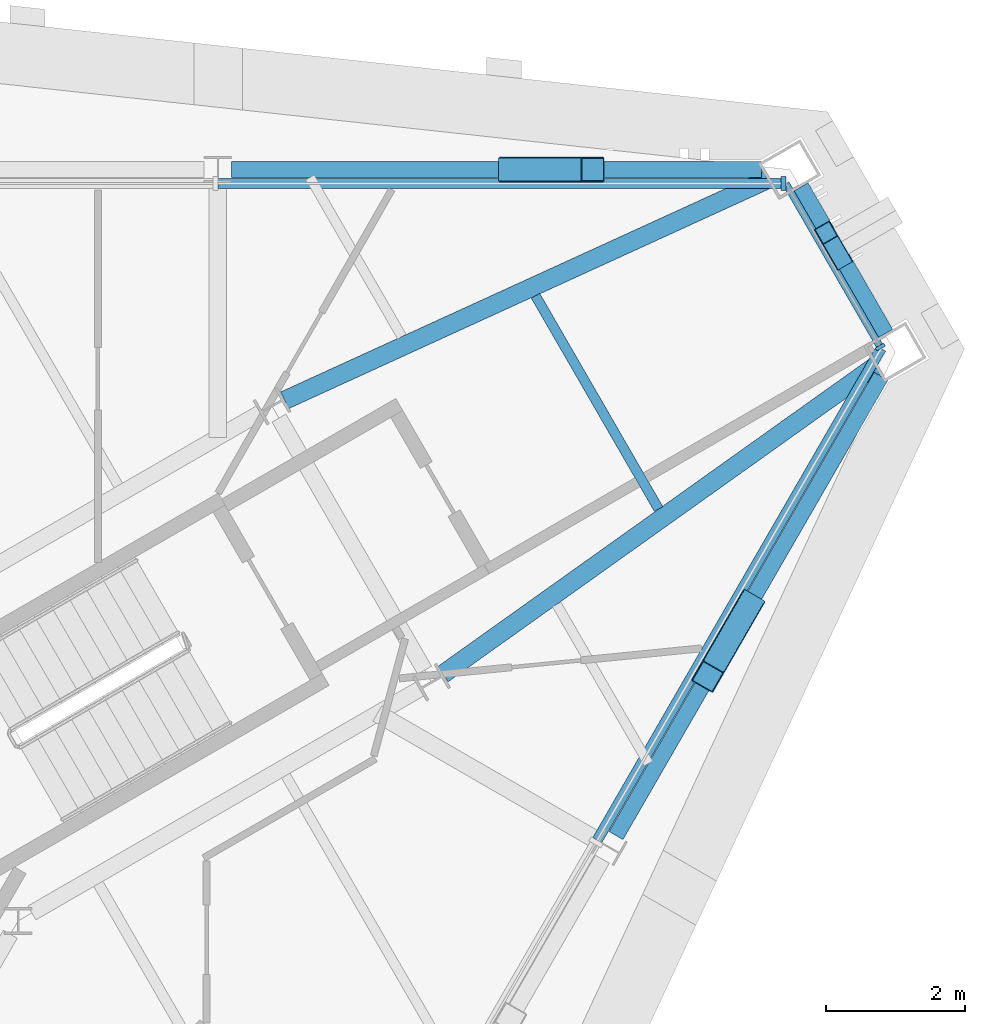
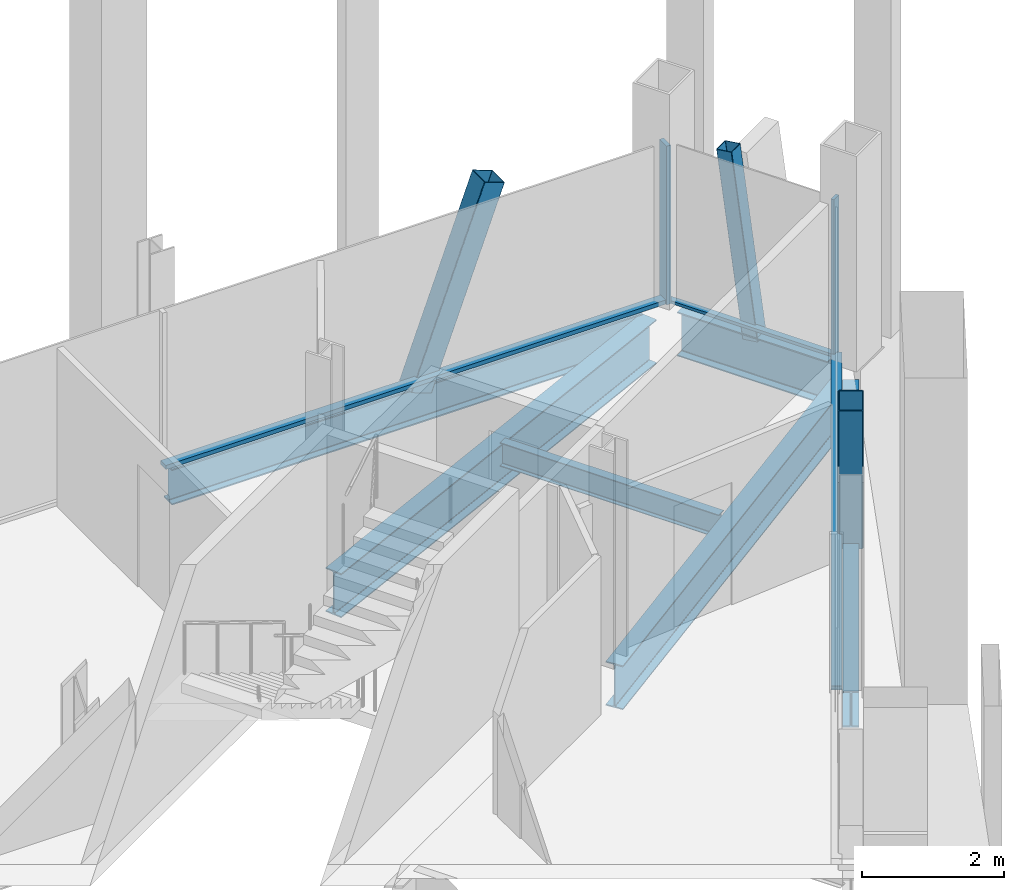
# One storey, part 6 of 13: 8 members, 6 beams, 3 elements without a shape of their own.
"""IFC4 building model written with IfcOpenShell, lengths in metres."""

from ifc_helpers import new_model, si_unit, direction, frame, origin, origin_2d, place, context, subcontext, project, spatial, rectangle, hollow_rectangle, i_section, extrude, material, material_profile, profile_set, type_object, element, aggregate, save


model = new_model("IFC4")

# Units and contexts
model_context = context("Model", 3, precision=1e-05, world=origin(), true_north=direction((0.0, 1.0)))
body_context = subcontext(model_context, "Body", "Model", "MODEL_VIEW")
ifc_project = project(units=[si_unit("LENGTHUNIT", "METRE"), si_unit("AREAUNIT", "SQUARE_METRE"), si_unit("VOLUMEUNIT", "CUBIC_METRE"), si_unit("PLANEANGLEUNIT", "RADIAN"), si_unit("MASSUNIT", "GRAM", prefix="KILO")], contexts=[model_context])

# Site, building, storey
site_placement = place(None, origin())
site = spatial("IfcSite", under=ifc_project, at=site_placement, CompositionType="ELEMENT")
building_placement = place(site_placement, origin())
building = spatial("IfcBuilding", under=site, at=building_placement, Name="Verrane Prism Tower", CompositionType="ELEMENT")
storey_placement = place(building_placement, frame((0.0, 0.0, 275.10009765625)))
storey = spatial("IfcBuildingStorey", under=building, at=storey_placement, Name="L69", CompositionType="ELEMENT", Elevation=275.10009765625)

# Member
ifc_material_1 = material(Name="Steel A500 Grade C", Category="steel")
ifc_material_profile_1 = material_profile(ifc_material_1, hollow_rectangle(XDim=0.25390625, YDim=0.25390625, WallThickness=0.009521484375, InnerFilletRadius=0.0048828125, OuterFilletRadius=0.014404296875, at=origin_2d()), Name="HSS10x10x3/8")
ifc_profile_set_1 = profile_set([ifc_material_profile_1], Name="Steel A500 Grade C")
member_type_1 = type_object("IfcMemberType", Name="Chamfer brace HSS10x10x3/8", PredefinedType="BRACE", material=ifc_profile_set_1)
member_1_placement = place(storey_placement, frame((21.339599609375, 12.3701171875, -0.24267578125), z_axis=(-0.067784448094, 0.117358148939, 0.990773603541), x_axis=(-0.865936922628, -0.500153222552, 0.0)))
element("IfcMember", 1, at=member_1_placement, inside=storey, type_object=member_type_1, Name="Chamfer brace NE0 L69", PredefinedType="BRACE", context=body_context, shape_type="SweptSolid", body=[
    extrude(hollow_rectangle(XDim=0.25390625, YDim=0.25390625, WallThickness=0.009521484375, InnerFilletRadius=0.0048828125, OuterFilletRadius=0.014404296875, at=origin_2d()), origin(), (0.0, 0.0, 1.0), 3.13720703125),
])

# Beams
ifc_material_2 = material(Name="Steel A992", Category="steel")
ifc_material_profile_2 = material_profile(ifc_material_2, i_section(OverallWidth=0.2666015625, OverallDepth=0.7568359375, WebThickness=0.013916015625, FlangeThickness=0.019287109375, FilletRadius=0.0166015625, at=origin_2d()), Name="W30x108")
ifc_profile_set_2 = profile_set([ifc_material_profile_2], Name="Steel A992")
beam_type_1 = type_object("IfcBeamType", Name="Chamfer spandrel beam W30x108", PredefinedType="SPANDREL", material=ifc_profile_set_2)
beam_1_placement = place(storey_placement, frame((21.969970703125, 11.27978515625, -0.53857421875), z_axis=(-0.500436097356, 0.865773476415, 0.0), x_axis=(-0.865773476415, -0.500436097356, 0.0)))
element("IfcBeam", 2, at=beam_1_placement, inside=storey, type_object=beam_type_1, Name="Chamfer spandrel beam L69", PredefinedType="SPANDREL", context=body_context, shape_type="SweptSolid", body=[
    extrude(i_section(OverallWidth=0.2666015625, OverallDepth=0.7568359375, WebThickness=0.013916015625, FlangeThickness=0.019287109375, FilletRadius=0.0166015625, at=origin_2d()), origin(), (0.0, 0.0, 1.0), 2.437744140625),
])
ifc_material_3 = material(Name="Steel A992", Category="steel")
ifc_material_profile_3 = material_profile(ifc_material_3, i_section(OverallWidth=0.2666015625, OverallDepth=0.7568359375, WebThickness=0.013916015625, FlangeThickness=0.019287109375, FilletRadius=0.0166015625, at=origin_2d()), Name="W30x108")
ifc_profile_set_3 = profile_set([ifc_material_profile_3], Name="Steel A992")
beam_type_2 = type_object("IfcBeamType", Name="Corner girder W30x108", PredefinedType="BEAM", material=ifc_profile_set_3)
for number, where, z_axis, x_axis, name in (
    (3, (21.833740234375, 10.81591796875, -0.5986328125), (-0.814401339816, -0.580302040067, 0.0), (0.580302040067, -0.814401339816, 0.0), "Corner girder L69"),
    (4, (20.2802734375, 13.50390625, -0.5986328125), (-0.909481370613, -0.415744677065, 0.0), (0.415744677065, -0.909481370613, 0.0), "Corner girder L69"),
):
    element("IfcBeam", number, at=place(storey_placement, frame(where, z_axis=z_axis, x_axis=x_axis)), inside=storey, type_object=beam_type_2, Name=name, PredefinedType="BEAM", context=body_context, shape_type="SweptSolid", body=[
        extrude(i_section(OverallWidth=0.2666015625, OverallDepth=0.7568359375, WebThickness=0.013916015625, FlangeThickness=0.019287109375, FilletRadius=0.0166015625, at=origin_2d()), origin(), (0.0, 0.0, 1.0), 7.650634765625),
    ])

# Members
ifc_material_4 = material(Name="Steel A500 Grade C", Category="steel")
ifc_material_profile_4 = material_profile(ifc_material_4, hollow_rectangle(XDim=0.355712890625, YDim=0.355712890625, WallThickness=0.0126953125, InnerFilletRadius=0.00634765625, OuterFilletRadius=0.01904296875, at=origin_2d()), Name="HSS14x14x1/2")
ifc_profile_set_4 = profile_set([ifc_material_profile_4], Name="Steel A500 Grade C")
member_type_2 = type_object("IfcMemberType", Name="Facade brace HSS14x14x1/2", PredefinedType="BRACE", material=ifc_profile_set_4)
for number, where, z_axis, x_axis, name in (
    (5, (16.573486328125, 13.64990234375, -0.216796875), (0.347950987795, 0.0, 0.937512725296), (0.0, 1.0, 0.0), "Facade brace N0 L69"),
    (6, (20.01318359375, 7.368896484375, -0.216796875), (-0.173933329841, -0.301465343199, 0.937478449683), (0.866171884844, -0.499746201493, 0.0), "Facade brace SE4 L69"),
):
    element("IfcMember", number, at=place(storey_placement, frame(where, z_axis=z_axis, x_axis=x_axis)), inside=storey, type_object=member_type_2, Name=name, PredefinedType="BRACE", context=body_context, shape_type="SweptSolid", body=[
        extrude(hollow_rectangle(XDim=0.355712890625, YDim=0.355712890625, WallThickness=0.0126953125, InnerFilletRadius=0.00634765625, OuterFilletRadius=0.01904296875, at=origin_2d()), origin(), (0.0, 0.0, 1.0), 3.409423828125),
    ])

# Beam
ifc_material_5 = material(Name="Steel A992", Category="steel")
ifc_material_profile_5 = material_profile(ifc_material_5, i_section(OverallWidth=0.140380859375, OverallDepth=0.40380859375, WebThickness=0.007080078125, FlangeThickness=0.01123046875, FilletRadius=0.01025390625, at=origin_2d()), Name="W16x31")
ifc_profile_set_5 = profile_set([ifc_material_profile_5], Name="Steel A992")
beam_type_3 = type_object("IfcBeamType", Name="Floor beam W16x31", PredefinedType="BEAM", material=ifc_profile_set_5)
beam_2_placement = place(storey_placement, frame((18.712158203125, 8.755615234375, -0.362060546875), z_axis=(-0.499986454343, 0.866033224232, 0.0), x_axis=(-0.866033224232, -0.499986454343, 0.0)))
element("IfcBeam", 7, at=beam_2_placement, inside=storey, type_object=beam_type_3, Name="Floor beam L69", PredefinedType="BEAM", context=body_context, shape_type="SweptSolid", body=[
    extrude(i_section(OverallWidth=0.140380859375, OverallDepth=0.40380859375, WebThickness=0.007080078125, FlangeThickness=0.01123046875, FilletRadius=0.01025390625, at=origin_2d()), origin(), (0.0, 0.0, 1.0), 3.548828125),
])

# Curtain wall, member
ifc_material_6 = material(Name="Aluminium framed insulated glazing", Category="aluminium")
curtain_wall_type_1 = type_object("IfcCurtainWallType", Name="Curtain wall CW-C 4200 module", PredefinedType="NOTDEFINED", material=ifc_material_6)
curtain_wall_1_placement = place(storey_placement, origin())
curtain_wall_1 = element("IfcCurtainWall", 8, at=curtain_wall_1_placement, inside=storey, type_object=curtain_wall_type_1, Name="Glazed curtain wall north-east corner L69", PredefinedType="NOTDEFINED")
ifc_material_7 = material(Name="Aluminium alloy 6063-T6", Category="aluminium")
ifc_material_profile_6 = material_profile(ifc_material_7, rectangle(XDim=0.139892578125, YDim=0.050048828125, at=origin_2d()), Name="Mullion 50x140 aluminium")
ifc_profile_set_6 = profile_set([ifc_material_profile_6], Name="Aluminium alloy 6063-T6")
member_type_3 = type_object("IfcMemberType", Name="Mullion 50x140 aluminium", PredefinedType="MULLION", material=ifc_profile_set_6)
member_2_placement = place(storey_placement, frame((21.90625, 11.091552734375, 0.0), z_axis=(0.0, 0.0, 1.0), x_axis=(-0.866024225493, -0.500002040855, 0.0)))
member_2 = element("IfcMember", 9, at=member_2_placement, type_object=member_type_3, Name="CW69.1 mullion 1", PredefinedType="MULLION", context=body_context, shape_type="SweptSolid", body=[
    extrude(rectangle(XDim=0.139892578125, YDim=0.050048828125, at=origin_2d()), origin(), (0.0, 0.0, 1.0), 2.722900390625),
])

ifc_material_8 = material(Name="Aluminium framed insulated glazing", Category="aluminium")
curtain_wall_type_2 = type_object("IfcCurtainWallType", Name="Curtain wall CW-A 8400 module", PredefinedType="NOTDEFINED", material=ifc_material_8)
curtain_wall_2_placement = place(storey_placement, origin())
curtain_wall_2 = element("IfcCurtainWall", 10, at=curtain_wall_2_placement, inside=storey, type_object=curtain_wall_type_2, Name="Glazed curtain wall north face L69", PredefinedType="NOTDEFINED")
ifc_material_9 = material(Name="Aluminium alloy 6063-T6", Category="aluminium")
ifc_material_profile_7 = material_profile(ifc_material_9, rectangle(XDim=0.199951171875, YDim=0.070068359375, at=origin_2d()), Name="Mullion 70x200 aluminium")
ifc_profile_set_7 = profile_set([ifc_material_profile_7], Name="Aluminium alloy 6063-T6")
member_type_4 = type_object("IfcMemberType", Name="Mullion 70x200 aluminium", PredefinedType="MULLION", material=ifc_profile_set_7)
member_3_placement = place(storey_placement, frame((20.510986328125, 13.447265625, 0.0), z_axis=(0.0, 0.0, 1.0), x_axis=(0.0, -1.0, 0.0)))
member_3 = element("IfcMember", 11, at=member_3_placement, type_object=member_type_4, Name="CW69.2 mullion 1", PredefinedType="MULLION", context=body_context, shape_type="SweptSolid", body=[
    extrude(rectangle(XDim=0.199951171875, YDim=0.070068359375, at=origin_2d()), origin(), (0.0, 0.0, 1.0), 2.722900390625),
])

# Beams
ifc_material_10 = material(Name="Steel A992", Category="steel")
ifc_material_profile_8 = material_profile(ifc_material_10, i_section(OverallWidth=0.23046875, OverallDepth=0.6171875, WebThickness=0.01318359375, FlangeThickness=0.022216796875, FilletRadius=0.012939453125, at=origin_2d()), Name="W24x94")
ifc_profile_set_8 = profile_set([ifc_material_profile_8], Name="Steel A992")
beam_type_4 = type_object("IfcBeamType", Name="Spandrel beam W24x94", PredefinedType="SPANDREL", material=ifc_profile_set_8)
beam_3_placement = place(storey_placement, frame((20.19580078125, 13.64990234375, -0.46875), z_axis=(-1.0, 0.0, 0.0), x_axis=(0.0, -1.0, 0.0)))
element("IfcBeam", 12, at=beam_3_placement, inside=storey, type_object=beam_type_4, Name="Spandrel beam L69", PredefinedType="SPANDREL", context=body_context, shape_type="SweptSolid", body=[
    extrude(i_section(OverallWidth=0.23046875, OverallDepth=0.6171875, WebThickness=0.01318359375, FlangeThickness=0.022216796875, FilletRadius=0.012939453125, at=origin_2d()), origin(), (0.0, 0.0, 1.0), 7.638916015625),
])
beam_4_placement = place(storey_placement, frame((18.098388671875, 4.050537109375, -0.46875), z_axis=(0.499791590914, 0.866145695395, 0.0), x_axis=(-0.866145695395, 0.499791590914, 0.0)))
element("IfcBeam", 13, at=beam_4_placement, inside=storey, type_object=beam_type_4, Name="Spandrel beam L69", PredefinedType="SPANDREL", context=body_context, shape_type="SweptSolid", body=[
    extrude(i_section(OverallWidth=0.23046875, OverallDepth=0.6171875, WebThickness=0.01318359375, FlangeThickness=0.022216796875, FilletRadius=0.012939453125, at=origin_2d()), origin(), (0.0, 0.0, 1.0), 7.642333984375),
])

# Member
ifc_material_11 = material(Name="Aluminium alloy 6063-T6", Category="aluminium")
ifc_material_profile_9 = material_profile(ifc_material_11, rectangle(XDim=0.10009765625, YDim=0.050048828125, at=origin_2d()), Name="Transom 50x100 aluminium")
ifc_profile_set_9 = profile_set([ifc_material_profile_9], Name="Aluminium alloy 6063-T6")
member_type_5 = type_object("IfcMemberType", Name="Transom 50x100 aluminium", PredefinedType="USERDEFINED", material=ifc_profile_set_9)
member_4_placement = place(storey_placement, frame((21.893798828125, 11.113037109375, 0.02490234375), z_axis=(-0.499996880198, 0.866027204995, 0.0), x_axis=(-0.866027204995, -0.499996880198, 0.0)))
member_4 = element("IfcMember", 14, at=member_4_placement, type_object=member_type_5, Name="CW69.1 transom 1", ObjectType="TRANSOM", PredefinedType="USERDEFINED", context=body_context, shape_type="SweptSolid", body=[
    extrude(rectangle(XDim=0.10009765625, YDim=0.050048828125, at=origin_2d()), origin(), (0.0, 0.0, 1.0), 2.6953125),
])

aggregate(curtain_wall_1, [member_2, member_4])

ifc_material_12 = material(Name="Aluminium alloy 6063-T6", Category="aluminium")
ifc_material_profile_10 = material_profile(ifc_material_12, rectangle(XDim=0.14990234375, YDim=0.070068359375, at=origin_2d()), Name="Transom 70x150 aluminium")
ifc_profile_set_10 = profile_set([ifc_material_profile_10], Name="Aluminium alloy 6063-T6")
member_type_6 = type_object("IfcMemberType", Name="Transom 70x150 aluminium", PredefinedType="USERDEFINED", material=ifc_profile_set_10)
member_5_placement = place(storey_placement, frame((20.47607421875, 13.447265625, 0.034912109375), z_axis=(-1.0, 0.0, 0.0), x_axis=(0.0, -1.0, 0.0)))
member_5 = element("IfcMember", 15, at=member_5_placement, type_object=member_type_6, Name="CW69.2 transom 1", ObjectType="TRANSOM", PredefinedType="USERDEFINED", context=body_context, shape_type="SweptSolid", body=[
    extrude(rectangle(XDim=0.14990234375, YDim=0.070068359375, at=origin_2d()), origin(), (0.0, 0.0, 1.0), 8.113525390625),
])

aggregate(curtain_wall_2, [member_3, member_5])

# Curtain wall, member
curtain_wall_3_placement = place(storey_placement, origin())
curtain_wall_3 = element("IfcCurtainWall", 16, at=curtain_wall_3_placement, inside=storey, type_object=curtain_wall_type_2, Name="Glazed curtain wall south-east face L69", PredefinedType="NOTDEFINED")
member_6_placement = place(storey_placement, frame((17.826904296875, 3.982666015625, 0.034912109375), z_axis=(0.500002215902, 0.866024124429, 0.0), x_axis=(-0.866024124429, 0.500002215902, 0.0)))
member_6 = element("IfcMember", 17, at=member_6_placement, type_object=member_type_6, Name="CW69.6 transom 5", ObjectType="TRANSOM", PredefinedType="USERDEFINED", context=body_context, shape_type="SweptSolid", body=[
    extrude(rectangle(XDim=0.14990234375, YDim=0.070068359375, at=origin_2d()), origin(), (0.0, 0.0, 1.0), 8.18359375),
])
aggregate(curtain_wall_3, [member_6])

save(model, "model.ifc")
